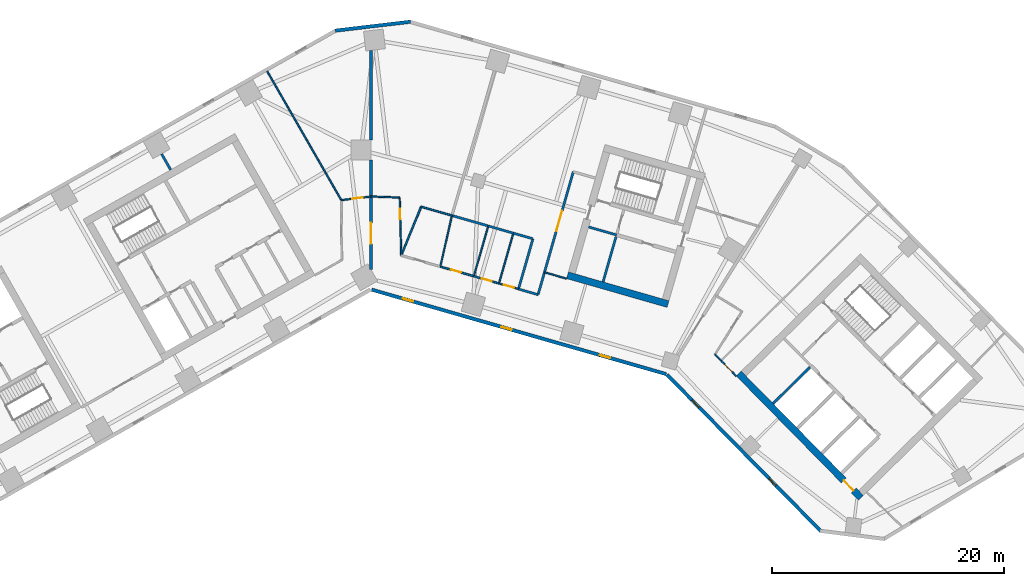
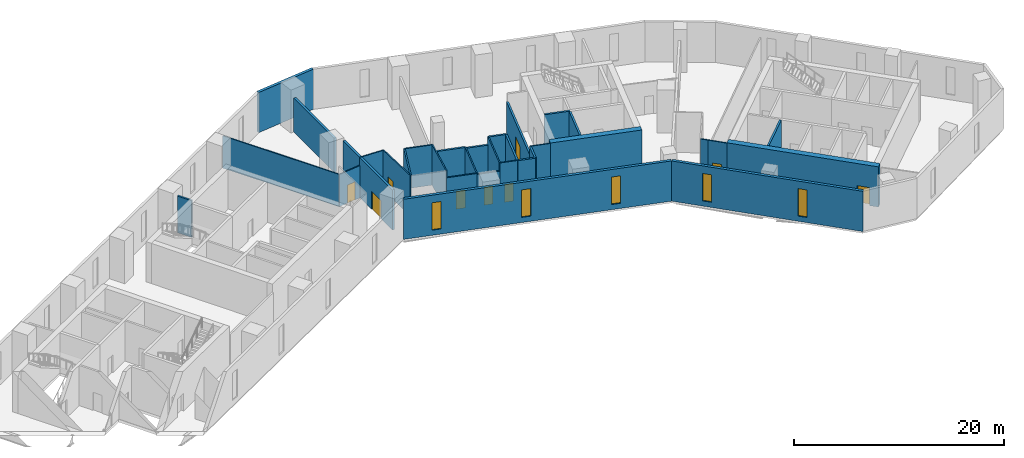
# One storey, part 5 of 10: 34 walls, 9 doors, 5 windows, 14 openings.
"""IFC4 building model written with IfcOpenShell, lengths in metres."""

from ifc_helpers import new_model, si_unit, direction, frame, frame_2d, origin, place, context, subcontext, project, spatial, rectangle, extrude, material, layer, layer_set, type_object, element, fill, save


model = new_model("IFC4")

# Units and contexts
model_context = context("Model", 3, precision=1e-05, world=origin(), true_north=direction((0.0, 1.0)))
body_context = subcontext(model_context, "Body", "Model", "MODEL_VIEW")
ifc_project = project(units=[si_unit("LENGTHUNIT", "METRE"), si_unit("AREAUNIT", "SQUARE_METRE"), si_unit("VOLUMEUNIT", "CUBIC_METRE"), si_unit("PLANEANGLEUNIT", "RADIAN"), si_unit("MASSUNIT", "GRAM", prefix="KILO")], contexts=[model_context])

# Site, building, storey
site_placement = place(None, origin())
site = spatial("IfcSite", under=ifc_project, at=site_placement, CompositionType="ELEMENT")
building_placement = place(site_placement, origin())
building = spatial("IfcBuilding", under=site, at=building_placement, Name="Binnacle Exchange Tower", CompositionType="ELEMENT")
storey_placement = place(building_placement, frame((0.0, 0.0, 81.5)))
storey = spatial("IfcBuildingStorey", under=building, at=storey_placement, Name="L16", CompositionType="ELEMENT", Elevation=81.5)

# Wall, opening, door
ifc_material_1 = material(Name="Concrete C70/85", Category="concrete")
ifc_layer_1 = layer(ifc_material_1, 0.60009765625)
ifc_layer_set_1 = layer_set([ifc_layer_1], Name="Core wall - outer 600")
wall_type_1 = type_object("IfcWallType", Name="Core wall - outer 600", PredefinedType="SOLIDWALL", material=ifc_layer_set_1)
wall_1_placement = place(storey_placement, frame((31.6455078125, 40.7626953125, 0.0), z_axis=(0.0, 0.0, 1.0), x_axis=(0.700911255944, -0.713248491965, 0.0)))
wall_1 = element("IfcWall", 1, at=wall_1_placement, inside=storey, type_object=wall_type_1, Name="Core wall CRWB1", PredefinedType="SOLIDWALL", context=body_context, shape_type="SweptSolid", body=[
    extrude(rectangle(XDim=15.0, YDim=0.60009765625, at=frame_2d((7.5, 0.0))), origin(), (0.0, 0.0, 1.0), 4.679931640625),
])
opening_1_placement = place(wall_1_placement, frame((12.89990234375, 0.0, 0.0)))
opening_1 = element("IfcOpeningElement", 2, at=opening_1_placement, cuts=wall_1, Name="Opening DB7", PredefinedType="OPENING", context=body_context, shape_type="SweptSolid", body=[
    extrude(rectangle(XDim=1.199951171875, YDim=2.10009765625, at=frame_2d((0.60009765625, 1.050048828125))), frame((0.0, 0.31005859375, 0.0), z_axis=(0.0, -1.0, 0.0), x_axis=(1.0, 0.0, 0.0)), (0.0, 0.0, 1.0), 0.6201171875),
])
ifc_material_2 = material(Name="Steel door leaf", Category="steel")
door_type_1 = type_object("IfcDoorType", Name="Fire door 1200", OperationType="NOTDEFINED", PredefinedType="DOOR", material=ifc_material_2)
door_1_placement = place(opening_1_placement, frame((1.199951171875, 0.0, 0.0), z_axis=(0.0, 0.0, 1.0), x_axis=(-1.0, 0.0, 0.0)))
door_1 = element("IfcDoor", 3, at=door_1_placement, inside=storey, type_object=door_type_1, Name="Lift lobby entrance door core B", OperationType="SINGLE_SWING_LEFT", OverallHeight=2.10009765625, OverallWidth=1.199951171875, PredefinedType="DOOR", context=body_context, shape_type="SweptSolid", body=[
    extrude(rectangle(XDim=1.199951171875, YDim=2.10009765625, at=frame_2d((0.60009765625, 1.050048828125))), frame((0.0, 0.02490234375, 0.0), z_axis=(0.0, -1.0, 0.0), x_axis=(1.0, 0.0, 0.0)), (0.0, 0.0, 1.0), 0.050048828125),
])
fill(opening_1, door_1)

# Walls
wall_2_placement = place(storey_placement, frame((16.91064453125, 49.22119140625, 0.0), z_axis=(0.0, 0.0, 1.0), x_axis=(0.96126248289, -0.275634611374, 0.0)))
element("IfcWall", 4, at=wall_2_placement, inside=storey, type_object=wall_type_1, Name="Core wall CRWD1", PredefinedType="SOLIDWALL", context=body_context, shape_type="SweptSolid", body=[
    extrude(rectangle(XDim=9.0, YDim=0.60009765625, at=frame_2d((4.5, 0.0))), origin(), (0.0, 0.0, 1.0), 4.679931640625),
])
ifc_material_3 = material(Name="Bronze aluminium cladding", Category="aluminium")
ifc_layer_2 = layer(ifc_material_3, 0.300048828125)
ifc_layer_set_2 = layer_set([ifc_layer_2], Name="External wall - spandrel 300")
wall_type_2 = type_object("IfcWallType", Name="External wall - spandrel 300", PredefinedType="STANDARD", material=ifc_layer_set_2)
wall_3_placement = place(storey_placement, frame((-3.076171875, 70.27294921875, 0.0), z_axis=(0.0, 0.0, 1.0), x_axis=(0.993067743007, 0.117543429416, 0.0)))
element("IfcWall", 5, at=wall_3_placement, inside=storey, type_object=wall_type_2, Name="External wall EW-F02 L16", PredefinedType="STANDARD", context=body_context, shape_type="SweptSolid", body=[
    extrude(rectangle(XDim=6.515625, YDim=0.300048828125, at=frame_2d((3.2578125, 0.0))), origin(), (0.0, 0.0, 1.0), 4.679931640625),
])

# Wall, openings, windows
wall_4_placement = place(storey_placement, frame((25.398193359375, 40.71728515625, 0.0), z_axis=(0.0, 0.0, 1.0), x_axis=(-0.961262423262, 0.275634819324, 0.0)))
wall_4 = element("IfcWall", 6, at=wall_4_placement, inside=storey, type_object=wall_type_2, Name="External wall EW-F08 L16", PredefinedType="STANDARD", context=body_context, shape_type="SweptSolid", body=[
    extrude(rectangle(XDim=26.358642578125, YDim=0.300048828125, at=frame_2d((13.17919921875, 0.0))), origin(), (0.0, 0.0, 1.0), 4.679931640625),
])
opening_2_placement = place(wall_4_placement, frame((22.6640625, 0.0, 0.60009765625)))
opening_2 = element("IfcOpeningElement", 7, at=opening_2_placement, cuts=wall_4, Name="Opening WS1", PredefinedType="OPENING", context=body_context, shape_type="SweptSolid", body=[
    extrude(rectangle(XDim=0.89990234375, YDim=3.199951171875, at=frame_2d((0.449951171875, 1.60009765625))), frame((0.0, 0.159912109375, 0.0), z_axis=(0.0, -1.0, 0.0), x_axis=(1.0, 0.0, 0.0)), (0.0, 0.0, 1.0), 0.320068359375),
])
opening_3_placement = place(wall_4_placement, frame((13.843505859375, 0.0, 0.60009765625)))
opening_3 = element("IfcOpeningElement", 8, at=opening_3_placement, cuts=wall_4, Name="Opening WS1", PredefinedType="OPENING", context=body_context, shape_type="SweptSolid", body=[
    extrude(rectangle(XDim=0.89990234375, YDim=3.199951171875, at=frame_2d((0.449951171875, 1.60009765625))), frame((0.0, 0.159912109375, 0.0), z_axis=(0.0, -1.0, 0.0), x_axis=(1.0, 0.0, 0.0)), (0.0, 0.0, 1.0), 0.320068359375),
])
opening_4_placement = place(wall_4_placement, frame((5.023193359375, 0.0, 0.60009765625)))
opening_4 = element("IfcOpeningElement", 9, at=opening_4_placement, cuts=wall_4, Name="Opening WS1", PredefinedType="OPENING", context=body_context, shape_type="SweptSolid", body=[
    extrude(rectangle(XDim=0.89990234375, YDim=3.199951171875, at=frame_2d((0.449951171875, 1.60009765625))), frame((0.0, 0.159912109375, 0.0), z_axis=(0.0, -1.0, 0.0), x_axis=(1.0, 0.0, 0.0)), (0.0, 0.0, 1.0), 0.320068359375),
])
ifc_material_4 = material(Name="Bronze anodised aluminium frame", Category="aluminium")
window_type = type_object("IfcWindowType", Name="WS1 WINDOW 900x3200", PartitioningType="SINGLE_PANEL", PredefinedType="WINDOW", material=ifc_material_4)
window_1_placement = place(opening_2_placement, origin())
window_1 = element("IfcWindow", 10, at=window_1_placement, inside=storey, type_object=window_type, Name="Window WS1 L16", OverallHeight=3.199951171875, OverallWidth=0.89990234375, PartitioningType="SINGLE_PANEL", PredefinedType="WINDOW", context=body_context, shape_type="SweptSolid", body=[
    extrude(rectangle(XDim=0.89990234375, YDim=3.199951171875, at=frame_2d((0.449951171875, 1.60009765625))), frame((0.0, 0.030029296875, 0.0), z_axis=(0.0, -1.0, 0.0), x_axis=(1.0, 0.0, 0.0)), (0.0, 0.0, 1.0), 0.06005859375),
])
fill(opening_2, window_1)
window_2_placement = place(opening_3_placement, origin())
window_2 = element("IfcWindow", 11, at=window_2_placement, inside=storey, type_object=window_type, Name="Window WS1 L16", OverallHeight=3.199951171875, OverallWidth=0.89990234375, PartitioningType="SINGLE_PANEL", PredefinedType="WINDOW", context=body_context, shape_type="SweptSolid", body=[
    extrude(rectangle(XDim=0.89990234375, YDim=3.199951171875, at=frame_2d((0.449951171875, 1.60009765625))), frame((0.0, 0.030029296875, 0.0), z_axis=(0.0, -1.0, 0.0), x_axis=(1.0, 0.0, 0.0)), (0.0, 0.0, 1.0), 0.06005859375),
])
fill(opening_3, window_2)
window_3_placement = place(opening_4_placement, origin())
window_3 = element("IfcWindow", 12, at=window_3_placement, inside=storey, type_object=window_type, Name="Window WS1 L16", OverallHeight=3.199951171875, OverallWidth=0.89990234375, PartitioningType="SINGLE_PANEL", PredefinedType="WINDOW", context=body_context, shape_type="SweptSolid", body=[
    extrude(rectangle(XDim=0.89990234375, YDim=3.199951171875, at=frame_2d((0.449951171875, 1.60009765625))), frame((0.0, 0.030029296875, 0.0), z_axis=(0.0, -1.0, 0.0), x_axis=(1.0, 0.0, 0.0)), (0.0, 0.0, 1.0), 0.06005859375),
])
fill(opening_4, window_3)

wall_5_placement = place(storey_placement, frame((38.727294921875, 27.18115234375, 0.0), z_axis=(0.0, 0.0, 1.0), x_axis=(-0.700906405975, 0.713253258011, 0.0)))
wall_5 = element("IfcWall", 13, at=wall_5_placement, inside=storey, type_object=wall_type_2, Name="External wall EW-F09 L16", PredefinedType="STANDARD", context=body_context, shape_type="SweptSolid", body=[
    extrude(rectangle(XDim=18.92333984375, YDim=0.300048828125, at=frame_2d((9.461669921875, 0.0))), origin(), (0.0, 0.0, 1.0), 4.679931640625),
])
opening_5_placement = place(wall_5_placement, frame((14.967041015625, 0.0, 0.60009765625)))
opening_5 = element("IfcOpeningElement", 14, at=opening_5_placement, cuts=wall_5, Name="Opening WS1", PredefinedType="OPENING", context=body_context, shape_type="SweptSolid", body=[
    extrude(rectangle(XDim=0.89990234375, YDim=3.199951171875, at=frame_2d((0.449951171875, 1.60009765625))), frame((0.0, 0.159912109375, 0.0), z_axis=(0.0, -1.0, 0.0), x_axis=(1.0, 0.0, 0.0)), (0.0, 0.0, 1.0), 0.320068359375),
])
opening_6_placement = place(wall_5_placement, frame((5.51171875, 0.0, 0.60009765625)))
opening_6 = element("IfcOpeningElement", 15, at=opening_6_placement, cuts=wall_5, Name="Opening WS1", PredefinedType="OPENING", context=body_context, shape_type="SweptSolid", body=[
    extrude(rectangle(XDim=0.89990234375, YDim=3.199951171875, at=frame_2d((0.449951171875, 1.60009765625))), frame((0.0, 0.159912109375, 0.0), z_axis=(0.0, -1.0, 0.0), x_axis=(1.0, 0.0, 0.0)), (0.0, 0.0, 1.0), 0.320068359375),
])
window_4_placement = place(opening_5_placement, origin())
window_4 = element("IfcWindow", 16, at=window_4_placement, inside=storey, type_object=window_type, Name="Window WS1 L16", OverallHeight=3.199951171875, OverallWidth=0.89990234375, PartitioningType="SINGLE_PANEL", PredefinedType="WINDOW", context=body_context, shape_type="SweptSolid", body=[
    extrude(rectangle(XDim=0.89990234375, YDim=3.199951171875, at=frame_2d((0.449951171875, 1.60009765625))), frame((0.0, 0.030029296875, 0.0), z_axis=(0.0, -1.0, 0.0), x_axis=(1.0, 0.0, 0.0)), (0.0, 0.0, 1.0), 0.06005859375),
])
fill(opening_5, window_4)
window_5_placement = place(opening_6_placement, origin())
window_5 = element("IfcWindow", 17, at=window_5_placement, inside=storey, type_object=window_type, Name="Window WS1 L16", OverallHeight=3.199951171875, OverallWidth=0.89990234375, PartitioningType="SINGLE_PANEL", PredefinedType="WINDOW", context=body_context, shape_type="SweptSolid", body=[
    extrude(rectangle(XDim=0.89990234375, YDim=3.199951171875, at=frame_2d((0.449951171875, 1.60009765625))), frame((0.0, 0.030029296875, 0.0), z_axis=(0.0, -1.0, 0.0), x_axis=(1.0, 0.0, 0.0)), (0.0, 0.0, 1.0), 0.06005859375),
])
fill(opening_6, window_5)

# Walls
ifc_material_5 = material(Name="Masonry block wall", Category="masonry")
ifc_layer_3 = layer(ifc_material_5, 0.199951171875)
ifc_layer_set_3 = layer_set([ifc_layer_3], Name="Fire wall - block 200")
wall_type_3 = type_object("IfcWallType", Name="Fire wall - block 200", PredefinedType="PARTITIONING", material=ifc_layer_set_3)
wall_6_placement = place(storey_placement, frame((-18.01806640625, 59.6689453125, 0.0), z_axis=(0.0, 0.0, 1.0), x_axis=(0.494877399769, -0.868962806568, 0.0)))
element("IfcWall", 18, at=wall_6_placement, inside=storey, type_object=wall_type_3, Name="Partition W05", PredefinedType="PARTITIONING", context=body_context, shape_type="SweptSolid", body=[
    extrude(rectangle(XDim=1.58447265625, YDim=0.199951171875, at=frame_2d((0.792236328125, 0.0))), origin(), (0.0, 0.0, 1.0), 4.260009765625),
])
wall_7_placement = place(storey_placement, frame((6.966064453125, 54.362060546875, 0.0), z_axis=(0.0, 0.0, 1.0), x_axis=(0.961245650832, -0.275693305607, 0.0)))
element("IfcWall", 19, at=wall_7_placement, inside=storey, type_object=wall_type_3, Name="Partition W20", PredefinedType="PARTITIONING", context=body_context, shape_type="SweptSolid", body=[
    extrude(rectangle(XDim=3.25, YDim=0.199951171875, at=frame_2d((1.625, 0.0))), origin(), (0.0, 0.0, 1.0), 3.85205078125),
])
wall_8_placement = place(storey_placement, frame((10.090087890625, 53.466064453125, 0.0), z_axis=(0.0, 0.0, 1.0), x_axis=(0.961269670038, -0.275609545309, 0.0)))
element("IfcWall", 20, at=wall_8_placement, inside=storey, type_object=wall_type_3, Name="Partition W24", PredefinedType="PARTITIONING", context=body_context, shape_type="SweptSolid", body=[
    extrude(rectangle(XDim=2.25, YDim=0.199951171875, at=frame_2d((1.125, 0.0))), origin(), (0.0, 0.0, 1.0), 3.741943359375),
])
wall_9_placement = place(storey_placement, frame((12.2529296875, 52.845947265625, 0.0), z_axis=(0.0, 0.0, 1.0), x_axis=(0.961175737212, -0.275936953296, 0.0)))
element("IfcWall", 21, at=wall_9_placement, inside=storey, type_object=wall_type_3, Name="Partition W27", PredefinedType="PARTITIONING", context=body_context, shape_type="SweptSolid", body=[
    extrude(rectangle(XDim=1.75, YDim=0.199951171875, at=frame_2d((0.875, 0.0))), origin(), (0.0, 0.0, 1.0), 4.679931640625),
])
wall_10_placement = place(storey_placement, frame((12.694091796875, 48.0380859375, 0.0), z_axis=(0.0, 0.0, 1.0), x_axis=(0.275803080638, 0.96121415965, 0.0)))
element("IfcWall", 22, at=wall_10_placement, inside=storey, type_object=wall_type_3, Name="Partition W28", PredefinedType="PARTITIONING", context=body_context, shape_type="SweptSolid", body=[
    extrude(rectangle(XDim=4.49951171875, YDim=0.199951171875, at=frame_2d((2.249755859375, 0.0))), origin(), (0.0, 0.0, 1.0), 4.679931640625),
])
wall_11_placement = place(storey_placement, frame((12.694091796875, 48.0380859375, 0.0), z_axis=(0.0, 0.0, 1.0), x_axis=(0.961170605556, -0.275954827854, 0.0)))
element("IfcWall", 23, at=wall_11_placement, inside=storey, type_object=wall_type_3, Name="Partition W29", PredefinedType="PARTITIONING", context=body_context, shape_type="SweptSolid", body=[
    extrude(rectangle(XDim=1.750732421875, YDim=0.199951171875, at=frame_2d((0.87548828125, 0.0))), origin(), (0.0, 0.0, 1.0), 4.679931640625),
])
wall_12_placement = place(storey_placement, frame((14.376953125, 47.554931640625, 0.0), z_axis=(0.0, 0.0, 1.0), x_axis=(0.275446387355, 0.961316434736, 0.0)))
element("IfcWall", 24, at=wall_12_placement, inside=storey, type_object=wall_type_3, Name="Partition W30", PredefinedType="PARTITIONING", context=body_context, shape_type="SweptSolid", body=[
    extrude(rectangle(XDim=2.00048828125, YDim=0.199951171875, at=frame_2d((1.000244140625, 0.0))), origin(), (0.0, 0.0, 1.0), 4.679931640625),
])

# Wall, opening, door
wall_13_placement = place(storey_placement, frame((14.927978515625, 49.47802734375, 0.0), z_axis=(0.0, 0.0, 1.0), x_axis=(0.275674053528, 0.961251172281, 0.0)))
wall_13 = element("IfcWall", 25, at=wall_13_placement, inside=storey, type_object=wall_type_3, Name="Partition W32", PredefinedType="PARTITIONING", context=body_context, shape_type="SweptSolid", body=[
    extrude(rectangle(XDim=8.99951171875, YDim=0.199951171875, at=frame_2d((4.499755859375, 0.0))), origin(), (0.0, 0.0, 1.0), 3.741943359375),
])
opening_7_placement = place(wall_13_placement, frame((3.699951171875, 0.0, 0.0)))
opening_7 = element("IfcOpeningElement", 26, at=opening_7_placement, cuts=wall_13, Name="Opening DL16-10", PredefinedType="OPENING", context=body_context, shape_type="SweptSolid", body=[
    extrude(rectangle(XDim=1.800048828125, YDim=2.10009765625, at=frame_2d((0.89990234375, 1.050048828125))), frame((0.0, 0.10986328125, 0.0), z_axis=(0.0, -1.0, 0.0), x_axis=(1.0, 0.0, 0.0)), (0.0, 0.0, 1.0), 0.219970703125),
])
door_type_2 = type_object("IfcDoorType", Name="Fire door 1800", OperationType="NOTDEFINED", PredefinedType="DOOR", material=ifc_material_2)
door_2_placement = place(opening_7_placement, origin())
door_2 = element("IfcDoor", 27, at=door_2_placement, inside=storey, type_object=door_type_2, Name="Door DL16-10", OperationType="DOUBLE_DOOR_SINGLE_SWING", OverallHeight=2.10009765625, OverallWidth=1.800048828125, PredefinedType="DOOR", context=body_context, shape_type="SweptSolid", body=[
    extrude(rectangle(XDim=1.800048828125, YDim=2.10009765625, at=frame_2d((0.89990234375, 1.050048828125))), frame((0.0, 0.02490234375, 0.0), z_axis=(0.0, -1.0, 0.0), x_axis=(1.0, 0.0, 0.0)), (0.0, 0.0, 1.0), 0.050048828125),
])
fill(opening_7, door_2)

ifc_material_6 = material(Name="Concrete fire wall C30/37", Category="concrete")
ifc_layer_4 = layer(ifc_material_6, 0.25)
ifc_layer_set_4 = layer_set([ifc_layer_4], Name="Fire wall - compartment 250")
wall_type_4 = type_object("IfcWallType", Name="Fire wall - compartment 250", PredefinedType="PARTITIONING", material=ifc_layer_set_4)
wall_14_placement = place(storey_placement, frame((0.0, 49.72607421875, 0.0), z_axis=(0.0, 0.0, 1.0), x_axis=(0.0, 1.0, 0.0)))
wall_14 = element("IfcWall", 28, at=wall_14_placement, inside=storey, type_object=wall_type_4, Name="Fire Wall W10", PredefinedType="PARTITIONING", context=body_context, shape_type="SweptSolid", body=[
    extrude(rectangle(XDim=6.27392578125, YDim=0.25, at=frame_2d((3.136962890625, 0.0))), origin(), (0.0, 0.0, 1.0), 4.679931640625),
])
opening_8_placement = place(wall_14_placement, frame((2.199951171875, 0.0, 0.0)))
opening_8 = element("IfcOpeningElement", 29, at=opening_8_placement, cuts=wall_14, Name="Opening DL16-15", PredefinedType="OPENING", context=body_context, shape_type="SweptSolid", body=[
    extrude(rectangle(XDim=1.800048828125, YDim=2.10009765625, at=frame_2d((0.89990234375, 1.050048828125))), frame((0.0, 0.135009765625, 0.0), z_axis=(0.0, -1.0, 0.0), x_axis=(1.0, 0.0, 0.0)), (0.0, 0.0, 1.0), 0.27001953125),
])
door_3_placement = place(opening_8_placement, origin())
door_3 = element("IfcDoor", 30, at=door_3_placement, inside=storey, type_object=door_type_2, Name="Door DL16-15", OperationType="DOUBLE_DOOR_SINGLE_SWING", OverallHeight=2.10009765625, OverallWidth=1.800048828125, PredefinedType="DOOR", context=body_context, shape_type="SweptSolid", body=[
    extrude(rectangle(XDim=1.800048828125, YDim=2.10009765625, at=frame_2d((0.89990234375, 1.050048828125))), frame((0.0, 0.02490234375, 0.0), z_axis=(0.0, -1.0, 0.0), x_axis=(1.0, 0.0, 0.0)), (0.0, 0.0, 1.0), 0.050048828125),
])
fill(opening_8, door_3)

# Walls
wall_15_placement = place(storey_placement, frame((0.0, 56.0, 0.0), z_axis=(0.0, 0.0, 1.0), x_axis=(0.0, 1.0, 0.0)))
element("IfcWall", 31, at=wall_15_placement, inside=storey, type_object=wall_type_4, Name="Fire Wall W11", PredefinedType="PARTITIONING", context=body_context, shape_type="SweptSolid", body=[
    extrude(rectangle(XDim=3.14990234375, YDim=0.25, at=frame_2d((1.574951171875, 0.0))), origin(), (0.0, 0.0, 1.0), 4.679931640625),
])
wall_16_placement = place(storey_placement, frame((0.0, 60.85009765625, 0.0), z_axis=(0.0, 0.0, 1.0), x_axis=(0.0, 1.0, 0.0)))
element("IfcWall", 32, at=wall_16_placement, inside=storey, type_object=wall_type_4, Name="Fire Wall W13", PredefinedType="PARTITIONING", context=body_context, shape_type="SweptSolid", body=[
    extrude(rectangle(XDim=7.722900390625, YDim=0.25, at=frame_2d((3.861328125, 0.0))), origin(), (0.0, 0.0, 1.0), 3.951904296875),
])
ifc_material_7 = material(Name="Gypsum partition fire rated")
ifc_layer_5 = layer(ifc_material_7, 0.14990234375)
ifc_layer_set_5 = layer_set([ifc_layer_5], Name="Fire-rated partition 150")
wall_type_5 = type_object("IfcWallType", Name="Fire-rated partition 150", PredefinedType="PARTITIONING", material=ifc_layer_set_5)
wall_17_placement = place(storey_placement, frame((2.60107421875, 50.931884765625, 0.0), z_axis=(0.0, 0.0, 1.0), x_axis=(0.380066317543, 0.924959239247, 0.0)))
element("IfcWall", 33, at=wall_17_placement, inside=storey, type_object=wall_type_5, Name="Partition W15", PredefinedType="PARTITIONING", context=body_context, shape_type="SweptSolid", body=[
    extrude(rectangle(XDim=4.528076171875, YDim=0.14990234375, at=frame_2d((2.26416015625, 0.0))), origin(), (0.0, 0.0, 1.0), 4.679931640625),
])
wall_18_placement = place(storey_placement, frame((4.322021484375, 55.1201171875, 0.0), z_axis=(0.0, 0.0, 1.0), x_axis=(0.961272337704, -0.275600240865, 0.0)))
element("IfcWall", 34, at=wall_18_placement, inside=storey, type_object=wall_type_5, Name="Partition W17", PredefinedType="PARTITIONING", context=body_context, shape_type="SweptSolid", body=[
    extrude(rectangle(XDim=2.75048828125, YDim=0.14990234375, at=frame_2d((1.375244140625, 0.0))), origin(), (0.0, 0.0, 1.0), 4.679931640625),
])

# Wall, opening, door
wall_19_placement = place(storey_placement, frame((5.966064453125, 49.967041015625, 0.0), z_axis=(0.0, 0.0, 1.0), x_axis=(0.961222353496, -0.275774522283, 0.0)))
wall_19 = element("IfcWall", 35, at=wall_19_placement, inside=storey, type_object=wall_type_5, Name="Partition W19", PredefinedType="PARTITIONING", context=body_context, shape_type="SweptSolid", body=[
    extrude(rectangle(XDim=2.999267578125, YDim=0.14990234375, at=frame_2d((1.49951171875, 0.0))), origin(), (0.0, 0.0, 1.0), 3.85205078125),
])
opening_9_placement = place(wall_19_placement, frame((0.949951171875, 0.0, 0.0)))
opening_9 = element("IfcOpeningElement", 36, at=opening_9_placement, cuts=wall_19, Name="Opening DL16-06", PredefinedType="OPENING", context=body_context, shape_type="SweptSolid", body=[
    extrude(rectangle(XDim=0.89990234375, YDim=2.10009765625, at=frame_2d((0.449951171875, 1.050048828125))), frame((0.0, 0.0849609375, 0.0), z_axis=(0.0, -1.0, 0.0), x_axis=(1.0, 0.0, 0.0)), (0.0, 0.0, 1.0), 0.169921875),
])
door_type_3 = type_object("IfcDoorType", Name="Fire door 900", OperationType="NOTDEFINED", PredefinedType="DOOR", material=ifc_material_2)
door_4_placement = place(opening_9_placement, origin())
door_4 = element("IfcDoor", 37, at=door_4_placement, inside=storey, type_object=door_type_3, Name="Door DL16-06", OperationType="SINGLE_SWING_LEFT", OverallHeight=2.10009765625, OverallWidth=0.89990234375, PredefinedType="DOOR", context=body_context, shape_type="SweptSolid", body=[
    extrude(rectangle(XDim=0.89990234375, YDim=2.10009765625, at=frame_2d((0.449951171875, 1.050048828125))), frame((0.0, 0.02490234375, 0.0), z_axis=(0.0, -1.0, 0.0), x_axis=(1.0, 0.0, 0.0)), (0.0, 0.0, 1.0), 0.050048828125),
])
fill(opening_9, door_4)

wall_20_placement = place(storey_placement, frame((8.84912109375, 49.139892578125, 0.0), z_axis=(0.0, 0.0, 1.0), x_axis=(0.961298413165, -0.275509275429, 0.0)))
wall_20 = element("IfcWall", 38, at=wall_20_placement, inside=storey, type_object=wall_type_5, Name="Partition W23", PredefinedType="PARTITIONING", context=body_context, shape_type="SweptSolid", body=[
    extrude(rectangle(XDim=2.25, YDim=0.14990234375, at=frame_2d((1.125, 0.0))), origin(), (0.0, 0.0, 1.0), 3.741943359375),
])
opening_10_placement = place(wall_20_placement, frame((0.699951171875, 0.0, 0.0)))
opening_10 = element("IfcOpeningElement", 39, at=opening_10_placement, cuts=wall_20, Name="Opening DL16-07", PredefinedType="OPENING", context=body_context, shape_type="SweptSolid", body=[
    extrude(rectangle(XDim=0.89990234375, YDim=2.10009765625, at=frame_2d((0.449951171875, 1.050048828125))), frame((0.0, 0.0849609375, 0.0), z_axis=(0.0, -1.0, 0.0), x_axis=(1.0, 0.0, 0.0)), (0.0, 0.0, 1.0), 0.169921875),
])
door_5_placement = place(opening_10_placement, origin())
door_5 = element("IfcDoor", 40, at=door_5_placement, inside=storey, type_object=door_type_3, Name="Door DL16-07", OperationType="SINGLE_SWING_RIGHT", OverallHeight=2.10009765625, OverallWidth=0.89990234375, PredefinedType="DOOR", context=body_context, shape_type="SweptSolid", body=[
    extrude(rectangle(XDim=0.89990234375, YDim=2.10009765625, at=frame_2d((0.449951171875, 1.050048828125))), frame((0.0, 0.02490234375, 0.0), z_axis=(0.0, -1.0, 0.0), x_axis=(1.0, 0.0, 0.0)), (0.0, 0.0, 1.0), 0.050048828125),
])
fill(opening_10, door_5)

# Wall
ifc_material_8 = material(Name="Gypsum partition")
ifc_layer_6 = layer(ifc_material_8, 0.125)
ifc_layer_set_6 = layer_set([ifc_layer_6], Name="Partition 125")
wall_type_6 = type_object("IfcWallType", Name="Partition 125", PredefinedType="PARTITIONING", material=ifc_layer_set_6)
wall_21_placement = place(storey_placement, frame((-8.930908203125, 66.77490234375, 0.0), z_axis=(0.0, 0.0, 1.0), x_axis=(0.498955759248, -0.866627457627, 0.0)))
element("IfcWall", 41, at=wall_21_placement, inside=storey, type_object=wall_type_6, Name="Partition W06", PredefinedType="PARTITIONING", context=body_context, shape_type="SweptSolid", body=[
    extrude(rectangle(XDim=12.794189453125, YDim=0.125, at=frame_2d((6.39697265625, 0.0))), origin(), (0.0, 0.0, 1.0), 3.760009765625),
])

# Wall, opening, door
wall_22_placement = place(storey_placement, frame((-2.547119140625, 55.68701171875, 0.0), z_axis=(0.0, 0.0, 1.0), x_axis=(0.992534770107, 0.121962002806, 0.0)))
wall_22 = element("IfcWall", 42, at=wall_22_placement, inside=storey, type_object=wall_type_6, Name="Partition W09", PredefinedType="PARTITIONING", context=body_context, shape_type="SweptSolid", body=[
    extrude(rectangle(XDim=2.566162109375, YDim=0.125, at=frame_2d((1.283203125, 0.0))), origin(), (0.0, 0.0, 1.0), 3.741943359375),
])
opening_11_placement = place(wall_22_placement, frame((0.949951171875, 0.0, 0.0)))
opening_11 = element("IfcOpeningElement", 43, at=opening_11_placement, cuts=wall_22, Name="Opening DL16-04", PredefinedType="OPENING", context=body_context, shape_type="SweptSolid", body=[
    extrude(rectangle(XDim=0.89990234375, YDim=2.10009765625, at=frame_2d((0.449951171875, 1.050048828125))), frame((0.0, 0.072509765625, 0.0), z_axis=(0.0, -1.0, 0.0), x_axis=(1.0, 0.0, 0.0)), (0.0, 0.0, 1.0), 0.14501953125),
])
ifc_material_9 = material(Name="Timber door leaf", Category="wood")
door_type_4 = type_object("IfcDoorType", Name="Door 900", OperationType="NOTDEFINED", PredefinedType="DOOR", material=ifc_material_9)
door_6_placement = place(opening_11_placement, origin())
door_6 = element("IfcDoor", 44, at=door_6_placement, inside=storey, type_object=door_type_4, Name="Door DL16-04", OperationType="SINGLE_SWING_RIGHT", OverallHeight=2.10009765625, OverallWidth=0.89990234375, PredefinedType="DOOR", context=body_context, shape_type="SweptSolid", body=[
    extrude(rectangle(XDim=0.89990234375, YDim=2.10009765625, at=frame_2d((0.449951171875, 1.050048828125))), frame((0.0, 0.02490234375, 0.0), z_axis=(0.0, -1.0, 0.0), x_axis=(1.0, 0.0, 0.0)), (0.0, 0.0, 1.0), 0.050048828125),
])
fill(opening_11, door_6)

# Wall
wall_23_placement = place(storey_placement, frame((0.0, 56.0, 0.0), z_axis=(0.0, 0.0, 1.0), x_axis=(0.999349313684, -0.036068673934, 0.0)))
element("IfcWall", 45, at=wall_23_placement, inside=storey, type_object=wall_type_6, Name="Partition W12", PredefinedType="PARTITIONING", context=body_context, shape_type="SweptSolid", body=[
    extrude(rectangle(XDim=2.470703125, YDim=0.125, at=frame_2d((1.2353515625, 0.0))), origin(), (0.0, 0.0, 1.0), 4.679931640625),
])

# Wall, opening, door
wall_24_placement = place(storey_placement, frame((2.468994140625, 55.910888671875, 0.0), z_axis=(0.0, 0.0, 1.0), x_axis=(0.02651808123, -0.999648333849, 0.0)))
wall_24 = element("IfcWall", 46, at=wall_24_placement, inside=storey, type_object=wall_type_6, Name="Partition W14", PredefinedType="PARTITIONING", context=body_context, shape_type="SweptSolid", body=[
    extrude(rectangle(XDim=4.980712890625, YDim=0.125, at=frame_2d((2.490234375, 0.0))), origin(), (0.0, 0.0, 1.0), 4.679931640625),
])
opening_12_placement = place(wall_24_placement, frame((0.949951171875, 0.0, 0.0)))
opening_12 = element("IfcOpeningElement", 47, at=opening_12_placement, cuts=wall_24, Name="Opening DL16-09", PredefinedType="OPENING", context=body_context, shape_type="SweptSolid", body=[
    extrude(rectangle(XDim=0.89990234375, YDim=2.10009765625, at=frame_2d((0.449951171875, 1.050048828125))), frame((0.0, 0.072509765625, 0.0), z_axis=(0.0, -1.0, 0.0), x_axis=(1.0, 0.0, 0.0)), (0.0, 0.0, 1.0), 0.14501953125),
])
door_7_placement = place(opening_12_placement, origin())
door_7 = element("IfcDoor", 48, at=door_7_placement, inside=storey, type_object=door_type_4, Name="Door DL16-09", OperationType="SINGLE_SWING_LEFT", OverallHeight=2.10009765625, OverallWidth=0.89990234375, PredefinedType="DOOR", context=body_context, shape_type="SweptSolid", body=[
    extrude(rectangle(XDim=0.89990234375, YDim=2.10009765625, at=frame_2d((0.449951171875, 1.050048828125))), frame((0.0, 0.02490234375, 0.0), z_axis=(0.0, -1.0, 0.0), x_axis=(1.0, 0.0, 0.0)), (0.0, 0.0, 1.0), 0.050048828125),
])
fill(opening_12, door_7)

# Walls
wall_25_placement = place(storey_placement, frame((5.966064453125, 49.967041015625, 0.0), z_axis=(0.0, 0.0, 1.0), x_axis=(0.221859891223, 0.975078555126, 0.0)))
element("IfcWall", 49, at=wall_25_placement, inside=storey, type_object=wall_type_6, Name="Partition W18", PredefinedType="PARTITIONING", context=body_context, shape_type="SweptSolid", body=[
    extrude(rectangle(XDim=4.50732421875, YDim=0.125, at=frame_2d((2.253662109375, 0.0))), origin(), (0.0, 0.0, 1.0), 4.679931640625),
])
wall_26_placement = place(storey_placement, frame((8.84912109375, 49.139892578125, 0.0), z_axis=(0.0, 0.0, 1.0), x_axis=(0.275731175537, 0.961234788612, 0.0)))
element("IfcWall", 50, at=wall_26_placement, inside=storey, type_object=wall_type_6, Name="Partition W22", PredefinedType="PARTITIONING", context=body_context, shape_type="SweptSolid", body=[
    extrude(rectangle(XDim=4.500732421875, YDim=0.125, at=frame_2d((2.25048828125, 0.0))), origin(), (0.0, 0.0, 1.0), 3.85205078125),
])
wall_27_placement = place(storey_placement, frame((11.011962890625, 48.52001953125, 0.0), z_axis=(0.0, 0.0, 1.0), x_axis=(0.275745553681, 0.96123066411, 0.0)))
element("IfcWall", 51, at=wall_27_placement, inside=storey, type_object=wall_type_6, Name="Partition W25", PredefinedType="PARTITIONING", context=body_context, shape_type="SweptSolid", body=[
    extrude(rectangle(XDim=4.50048828125, YDim=0.125, at=frame_2d((2.250244140625, 0.0))), origin(), (0.0, 0.0, 1.0), 4.679931640625),
])

# Wall, opening, door
wall_28_placement = place(storey_placement, frame((11.011962890625, 48.52001953125, 0.0), z_axis=(0.0, 0.0, 1.0), x_axis=(0.961323619822, -0.275421309946, 0.0)))
wall_28 = element("IfcWall", 52, at=wall_28_placement, inside=storey, type_object=wall_type_6, Name="Partition W26", PredefinedType="PARTITIONING", context=body_context, shape_type="SweptSolid", body=[
    extrude(rectangle(XDim=1.749755859375, YDim=0.125, at=frame_2d((0.875, 0.0))), origin(), (0.0, 0.0, 1.0), 4.679931640625),
])
opening_13_placement = place(wall_28_placement, frame((0.449951171875, 0.0, 0.0)))
opening_13 = element("IfcOpeningElement", 53, at=opening_13_placement, cuts=wall_28, Name="Opening DL16-08", PredefinedType="OPENING", context=body_context, shape_type="SweptSolid", body=[
    extrude(rectangle(XDim=0.89990234375, YDim=2.10009765625, at=frame_2d((0.449951171875, 1.050048828125))), frame((0.0, 0.072509765625, 0.0), z_axis=(0.0, -1.0, 0.0), x_axis=(1.0, 0.0, 0.0)), (0.0, 0.0, 1.0), 0.14501953125),
])
door_8_placement = place(opening_13_placement, origin())
door_8 = element("IfcDoor", 54, at=door_8_placement, inside=storey, type_object=door_type_4, Name="Door DL16-08", OperationType="SINGLE_SWING_RIGHT", OverallHeight=2.10009765625, OverallWidth=0.89990234375, PredefinedType="DOOR", context=body_context, shape_type="SweptSolid", body=[
    extrude(rectangle(XDim=0.89990234375, YDim=2.10009765625, at=frame_2d((0.449951171875, 1.050048828125))), frame((0.0, 0.02490234375, 0.0), z_axis=(0.0, -1.0, 0.0), x_axis=(1.0, 0.0, 0.0)), (0.0, 0.0, 1.0), 0.050048828125),
])
fill(opening_13, door_8)

# Walls
wall_29_placement = place(storey_placement, frame((14.927978515625, 49.47802734375, 0.0), z_axis=(0.0, 0.0, 1.0), x_axis=(0.961243778232, -0.27569983462, 0.0)))
element("IfcWall", 55, at=wall_29_placement, inside=storey, type_object=wall_type_6, Name="Partition W31", PredefinedType="PARTITIONING", context=body_context, shape_type="SweptSolid", body=[
    extrude(rectangle(XDim=1.9765625, YDim=0.125, at=frame_2d((0.98828125, 0.0))), origin(), (0.0, 0.0, 1.0), 4.679931640625),
])
wall_30_placement = place(storey_placement, frame((29.60009765625, 42.416015625, 0.0), z_axis=(0.0, 0.0, 1.0), x_axis=(0.701711125926, -0.71246157493, 0.0)))
element("IfcWall", 56, at=wall_30_placement, inside=storey, type_object=wall_type_6, Name="Partition W37", PredefinedType="PARTITIONING", context=body_context, shape_type="SweptSolid", body=[
    extrude(rectangle(XDim=0.74951171875, YDim=0.125, at=frame_2d((0.374755859375, 0.0))), origin(), (0.0, 0.0, 1.0), 4.679931640625),
])

# Wall, opening, door
wall_31_placement = place(storey_placement, frame((30.1259765625, 41.882080078125, 0.0), z_axis=(0.0, 0.0, 1.0), x_axis=(0.700593717615, -0.713560398872, 0.0)))
wall_31 = element("IfcWall", 57, at=wall_31_placement, inside=storey, type_object=wall_type_6, Name="Partition W41", PredefinedType="PARTITIONING", context=body_context, shape_type="SweptSolid", body=[
    extrude(rectangle(XDim=1.864013671875, YDim=0.125, at=frame_2d((0.93212890625, 0.0))), origin(), (0.0, 0.0, 1.0), 4.679931640625),
])
opening_14_placement = place(wall_31_placement, frame((0.449951171875, 0.0, 0.0)))
opening_14 = element("IfcOpeningElement", 58, at=opening_14_placement, cuts=wall_31, Name="Opening DL16-13", PredefinedType="OPENING", context=body_context, shape_type="SweptSolid", body=[
    extrude(rectangle(XDim=0.89990234375, YDim=2.10009765625, at=frame_2d((0.449951171875, 1.050048828125))), frame((0.0, 0.072509765625, 0.0), z_axis=(0.0, -1.0, 0.0), x_axis=(1.0, 0.0, 0.0)), (0.0, 0.0, 1.0), 0.14501953125),
])
door_9_placement = place(opening_14_placement, origin())
door_9 = element("IfcDoor", 59, at=door_9_placement, inside=storey, type_object=door_type_4, Name="Door DL16-13", OperationType="SINGLE_SWING_LEFT", OverallHeight=2.10009765625, OverallWidth=0.89990234375, PredefinedType="DOOR", context=body_context, shape_type="SweptSolid", body=[
    extrude(rectangle(XDim=0.89990234375, YDim=2.10009765625, at=frame_2d((0.449951171875, 1.050048828125))), frame((0.0, 0.02490234375, 0.0), z_axis=(0.0, -1.0, 0.0), x_axis=(1.0, 0.0, 0.0)), (0.0, 0.0, 1.0), 0.050048828125),
])
fill(opening_14, door_9)

# Walls
ifc_layer_7 = layer(ifc_material_5, 0.199951171875)
ifc_layer_set_7 = layer_set([ifc_layer_7], Name="Riser wall 200")
wall_type_7 = type_object("IfcWallType", Name="Riser wall 200", PredefinedType="SOLIDWALL", material=ifc_layer_set_7)
wall_32_placement = place(storey_placement, frame((34.59326171875, 38.19140625, 0.0), z_axis=(0.0, 0.0, 1.0), x_axis=(0.713252216116, 0.700907466222, 0.0)))
element("IfcWall", 60, at=wall_32_placement, inside=storey, type_object=wall_type_7, Name="Core wall CRWB9", PredefinedType="SOLIDWALL", context=body_context, shape_type="SweptSolid", body=[
    extrude(rectangle(XDim=4.44970703125, YDim=0.199951171875, at=frame_2d((2.224853515625, 0.0))), origin(), (0.0, 0.0, 1.0), 4.679931640625),
])
wall_33_placement = place(storey_placement, frame((18.727783203125, 53.381591796875, 0.0), z_axis=(0.0, 0.0, 1.0), x_axis=(0.961247070632, -0.275688355216, 0.0)))
element("IfcWall", 61, at=wall_33_placement, inside=storey, type_object=wall_type_7, Name="Core wall CRWD2", PredefinedType="SOLIDWALL", context=body_context, shape_type="SweptSolid", body=[
    extrude(rectangle(XDim=2.5, YDim=0.199951171875, at=frame_2d((1.25, 0.0))), origin(), (0.0, 0.0, 1.0), 4.679931640625),
])
wall_34_placement = place(storey_placement, frame((19.97314453125, 48.6552734375, 0.0), z_axis=(0.0, 0.0, 1.0), x_axis=(0.275668441653, 0.961252781674, 0.0)))
element("IfcWall", 62, at=wall_34_placement, inside=storey, type_object=wall_type_7, Name="Core wall CRWD8", PredefinedType="SOLIDWALL", context=body_context, shape_type="SweptSolid", body=[
    extrude(rectangle(XDim=4.050048828125, YDim=0.199951171875, at=frame_2d((2.02490234375, 0.0))), origin(), (0.0, 0.0, 1.0), 4.679931640625),
])

save(model, "model.ifc")
